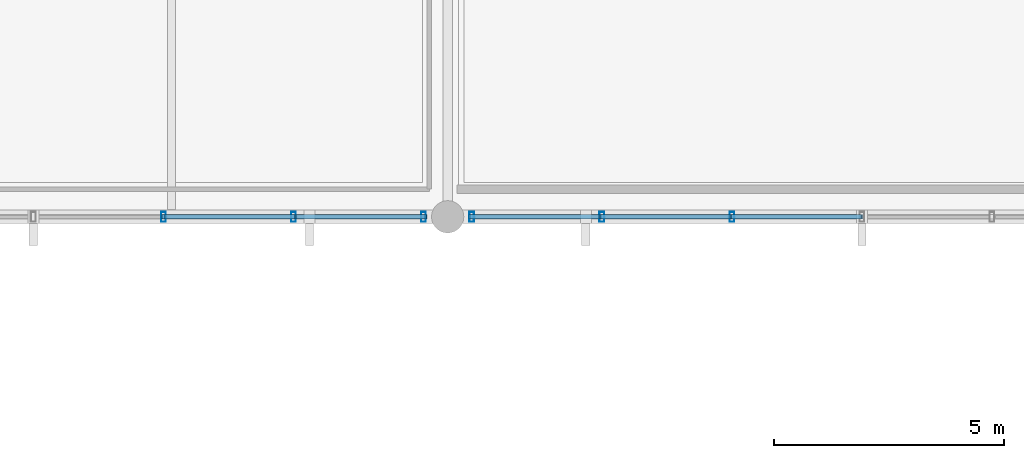
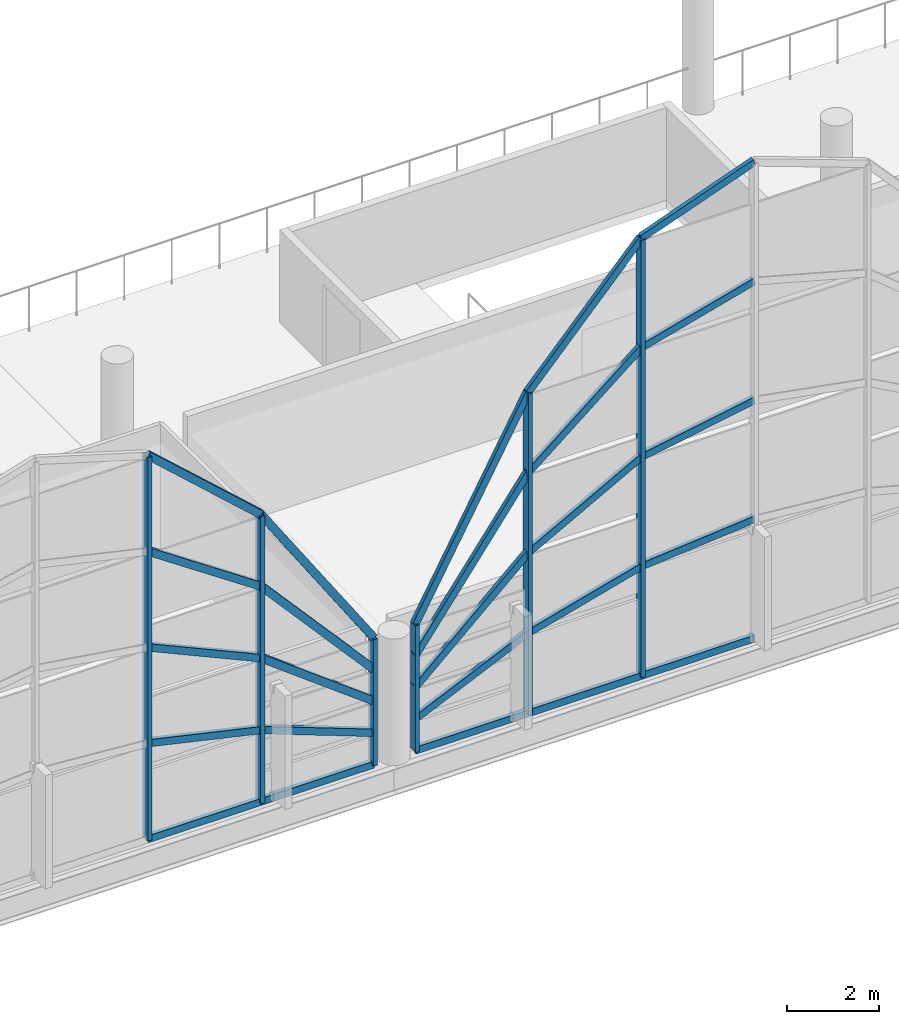
# One storey, part 24 of 116: 31 members, 2 elements without a shape of their own.
"""IFC4 building model written with IfcOpenShell, lengths in metres."""

from ifc_helpers import new_model, si_unit, direction, frame, origin, origin_2d, place, context, subcontext, project, spatial, hollow_rectangle, extrude, material, material_profile, profile_set, type_object, element, aggregate, save


model = new_model("IFC4")

# Units and contexts
model_context = context("Model", 3, precision=1e-05, world=origin(), true_north=direction((0.0, 1.0)))
body_context = subcontext(model_context, "Body", "Model", "MODEL_VIEW")
ifc_project = project(units=[si_unit("LENGTHUNIT", "METRE"), si_unit("AREAUNIT", "SQUARE_METRE"), si_unit("VOLUMEUNIT", "CUBIC_METRE"), si_unit("PLANEANGLEUNIT", "RADIAN"), si_unit("MASSUNIT", "GRAM", prefix="KILO")], contexts=[model_context])

# Site, building, storey
site_placement = place(None, origin())
site = spatial("IfcSite", under=ifc_project, at=site_placement, CompositionType="ELEMENT")
building_placement = place(site_placement, origin())
building = spatial("IfcBuilding", under=site, at=building_placement, Name="Chuanluo Vaults Station", CompositionType="ELEMENT")
storey_placement = place(building_placement, frame((0.0, 0.0, 10.800048828125)))
storey = spatial("IfcBuildingStorey", under=building, at=storey_placement, Name="L02", CompositionType="ELEMENT", Elevation=10.800048828125)

# Curtain wall, members
ifc_material_1 = material(Name="Anodised aluminium 6063-T6", Category="aluminium")
curtain_wall_type_1 = type_object("IfcCurtainWallType", Name="CW-SYS-08", PredefinedType="NOTDEFINED", material=ifc_material_1)
curtain_wall_1_placement = place(storey_placement, origin())
curtain_wall_1 = element("IfcCurtainWall", 1, at=curtain_wall_1_placement, inside=storey, type_object=curtain_wall_type_1, Name="Vault V3 south arched curtain wall", PredefinedType="NOTDEFINED")
ifc_material_2 = material(Name="Anodised aluminium 6063-T6", Category="aluminium")
ifc_material_profile_1 = material_profile(ifc_material_2, hollow_rectangle(XDim=0.10498046875, YDim=0.219970703125, WallThickness=0.006103515625, at=origin_2d()))
ifc_profile_set_1 = profile_set([ifc_material_profile_1], Name="Anodised aluminium 6063-T6")
member_type_1 = type_object("IfcMemberType", Name="CWM-140", PredefinedType="MULLION", material=ifc_profile_set_1)
member_1_placement = place(storey_placement, frame((53.47509765625, 18.0, 0.0), z_axis=(0.0, 0.0, 1.0), x_axis=(-1.0, 0.0, 0.0)))
member_1 = element("IfcMember", 2, at=member_1_placement, type_object=member_type_1, Name="Vault V3 south arched curtain wall mullion 1", PredefinedType="MULLION", context=body_context, shape_type="SweptSolid", body=[
    extrude(hollow_rectangle(XDim=0.10498046875, YDim=0.219970703125, WallThickness=0.006103515625, at=origin_2d()), origin(), (0.0, 0.0, 1.0), 3.349853515625),
])
member_2_placement = place(storey_placement, frame((50.64990234375, 18.0, 0.0), z_axis=(0.0, 0.0, 1.0), x_axis=(-1.0, 0.0, 0.0)))
member_2 = element("IfcMember", 3, at=member_2_placement, type_object=member_type_1, Name="Vault V3 south arched curtain wall mullion 2", PredefinedType="MULLION", context=body_context, shape_type="SweptSolid", body=[
    extrude(hollow_rectangle(XDim=0.10498046875, YDim=0.219970703125, WallThickness=0.006103515625, at=origin_2d()), origin(), (0.0, 0.0, 1.0), 7.599853515625),
])
member_3_placement = place(storey_placement, frame((47.824951171875, 18.0, 0.0), z_axis=(0.0, 0.0, 1.0), x_axis=(-1.0, 0.0, 0.0)))
member_3 = element("IfcMember", 4, at=member_3_placement, type_object=member_type_1, Name="Vault V3 south arched curtain wall mullion 3", PredefinedType="MULLION", context=body_context, shape_type="SweptSolid", body=[
    extrude(hollow_rectangle(XDim=0.10498046875, YDim=0.219970703125, WallThickness=0.006103515625, at=origin_2d()), origin(), (0.0, 0.0, 1.0), 10.14990234375),
])

ifc_material_3 = material(Name="Anodised aluminium 6063-T6", Category="aluminium")
curtain_wall_type_2 = type_object("IfcCurtainWallType", Name="CW-SYS-12", PredefinedType="NOTDEFINED", material=ifc_material_3)
curtain_wall_2_placement = place(storey_placement, origin())
curtain_wall_2 = element("IfcCurtainWall", 5, at=curtain_wall_2_placement, inside=storey, type_object=curtain_wall_type_2, Name="Vault V4 south arched curtain wall", PredefinedType="NOTDEFINED")
member_4_placement = place(storey_placement, frame((60.175048828125, 18.0, 0.0), z_axis=(0.0, 0.0, 1.0), x_axis=(-1.0, 0.0, 0.0)))
member_4 = element("IfcMember", 6, at=member_4_placement, type_object=member_type_1, Name="Vault V4 south arched curtain wall mullion 5", PredefinedType="MULLION", context=body_context, shape_type="SweptSolid", body=[
    extrude(hollow_rectangle(XDim=0.10498046875, YDim=0.219970703125, WallThickness=0.006103515625, at=origin_2d()), origin(), (0.0, 0.0, 1.0), 11.572265625),
])
member_5_placement = place(storey_placement, frame((57.35009765625, 18.0, 0.0), z_axis=(0.0, 0.0, 1.0), x_axis=(-1.0, 0.0, 0.0)))
member_5 = element("IfcMember", 7, at=member_5_placement, type_object=member_type_1, Name="Vault V4 south arched curtain wall mullion 6", PredefinedType="MULLION", context=body_context, shape_type="SweptSolid", body=[
    extrude(hollow_rectangle(XDim=0.10498046875, YDim=0.219970703125, WallThickness=0.006103515625, at=origin_2d()), origin(), (0.0, 0.0, 1.0), 8.48876953125),
])
member_6_placement = place(storey_placement, frame((54.52490234375, 18.0, 0.0), z_axis=(0.0, 0.0, 1.0), x_axis=(-1.0, 0.0, 0.0)))
member_6 = element("IfcMember", 8, at=member_6_placement, type_object=member_type_1, Name="Vault V4 south arched curtain wall mullion 7", PredefinedType="MULLION", context=body_context, shape_type="SweptSolid", body=[
    extrude(hollow_rectangle(XDim=0.10498046875, YDim=0.219970703125, WallThickness=0.006103515625, at=origin_2d()), origin(), (0.0, 0.0, 1.0), 3.349853515625),
])

# Member
ifc_material_4 = material(Name="Anodised aluminium 6063-T6", Category="aluminium")
ifc_material_profile_2 = material_profile(ifc_material_4, hollow_rectangle(XDim=0.10498046875, YDim=0.18505859375, WallThickness=0.0048828125, at=origin_2d()))
ifc_profile_set_2 = profile_set([ifc_material_profile_2], Name="Anodised aluminium 6063-T6")
member_type_2 = type_object("IfcMemberType", Name="CWT-110", PredefinedType="USERDEFINED", material=ifc_profile_set_2)
member_7_placement = place(storey_placement, frame((53.47509765625, 18.0, 0.0), z_axis=(-1.0, 0.0, 0.0), x_axis=(0.0, -1.0, 0.0)))
member_7 = element("IfcMember", 9, at=member_7_placement, type_object=member_type_2, Name="Vault V3 south arched curtain wall transom 1.1", ObjectType="TRANSOM", PredefinedType="USERDEFINED", context=body_context, shape_type="SweptSolid", body=[
    extrude(hollow_rectangle(XDim=0.10498046875, YDim=0.18505859375, WallThickness=0.0048828125, at=origin_2d()), origin(), (0.0, 0.0, 1.0), 2.8251953125),
])

member_8_placement = place(storey_placement, frame((53.47509765625, 18.0, 0.83740234375), z_axis=(-0.935996355614, 0.0, 0.352009690601), x_axis=(0.0, -1.0, 0.0)))
member_8 = element("IfcMember", 10, at=member_8_placement, type_object=member_type_2, Name="Vault V3 south arched curtain wall transom 1.2", ObjectType="TRANSOM", PredefinedType="USERDEFINED", context=body_context, shape_type="SweptSolid", body=[
    extrude(hollow_rectangle(XDim=0.10498046875, YDim=0.18505859375, WallThickness=0.0048828125, at=origin_2d()), origin(), (0.0, 0.0, 1.0), 3.018310546875),
])

member_9_placement = place(storey_placement, frame((53.47509765625, 18.0, 1.675048828125), z_axis=(-0.799170508407, 0.0, 0.601104398996), x_axis=(0.0, -1.0, 0.0)))
member_9 = element("IfcMember", 11, at=member_9_placement, type_object=member_type_2, Name="Vault V3 south arched curtain wall transom 1.3", ObjectType="TRANSOM", PredefinedType="USERDEFINED", context=body_context, shape_type="SweptSolid", body=[
    extrude(hollow_rectangle(XDim=0.10498046875, YDim=0.18505859375, WallThickness=0.0048828125, at=origin_2d()), origin(), (0.0, 0.0, 1.0), 3.53515625),
])

member_10_placement = place(storey_placement, frame((53.47509765625, 18.0, 2.512451171875), z_axis=(-0.663295841514, 0.0, 0.748357285413), x_axis=(0.0, -1.0, 0.0)))
member_10 = element("IfcMember", 12, at=member_10_placement, type_object=member_type_2, Name="Vault V3 south arched curtain wall transom 1.4", ObjectType="TRANSOM", PredefinedType="USERDEFINED", context=body_context, shape_type="SweptSolid", body=[
    extrude(hollow_rectangle(XDim=0.10498046875, YDim=0.18505859375, WallThickness=0.0048828125, at=origin_2d()), origin(), (0.0, 0.0, 1.0), 4.25927734375),
])

member_11_placement = place(storey_placement, frame((53.47509765625, 18.0, 3.349853515625), z_axis=(-0.553595725421, 0.0, 0.832785550304), x_axis=(0.0, -1.0, 0.0)))
member_11 = element("IfcMember", 13, at=member_11_placement, type_object=member_type_2, Name="Vault V3 south arched curtain wall transom 1.5", ObjectType="TRANSOM", PredefinedType="USERDEFINED", context=body_context, shape_type="SweptSolid", body=[
    extrude(hollow_rectangle(XDim=0.10498046875, YDim=0.18505859375, WallThickness=0.0048828125, at=origin_2d()), origin(), (0.0, 0.0, 1.0), 5.103271484375),
])

member_12_placement = place(storey_placement, frame((50.64990234375, 18.0, 0.0), z_axis=(-1.0, 0.0, 0.0), x_axis=(0.0, -1.0, 0.0)))
member_12 = element("IfcMember", 14, at=member_12_placement, type_object=member_type_2, Name="Vault V3 south arched curtain wall transom 2.1", ObjectType="TRANSOM", PredefinedType="USERDEFINED", context=body_context, shape_type="SweptSolid", body=[
    extrude(hollow_rectangle(XDim=0.10498046875, YDim=0.18505859375, WallThickness=0.0048828125, at=origin_2d()), origin(), (0.0, 0.0, 1.0), 2.824951171875),
])

member_13_placement = place(storey_placement, frame((50.64990234375, 18.0, 1.89990234375), z_axis=(-0.975473711009, 0.0, 0.220115967457), x_axis=(0.0, -1.0, 0.0)))
member_13 = element("IfcMember", 15, at=member_13_placement, type_object=member_type_2, Name="Vault V3 south arched curtain wall transom 2.2", ObjectType="TRANSOM", PredefinedType="USERDEFINED", context=body_context, shape_type="SweptSolid", body=[
    extrude(hollow_rectangle(XDim=0.10498046875, YDim=0.18505859375, WallThickness=0.0048828125, at=origin_2d()), origin(), (0.0, 0.0, 1.0), 2.89599609375),
])

member_14_placement = place(storey_placement, frame((50.64990234375, 18.0, 3.800048828125), z_axis=(-0.911477323867, 0.0, 0.41135032281), x_axis=(0.0, -1.0, 0.0)))
member_14 = element("IfcMember", 16, at=member_14_placement, type_object=member_type_2, Name="Vault V3 south arched curtain wall transom 2.3", ObjectType="TRANSOM", PredefinedType="USERDEFINED", context=body_context, shape_type="SweptSolid", body=[
    extrude(hollow_rectangle(XDim=0.10498046875, YDim=0.18505859375, WallThickness=0.0048828125, at=origin_2d()), origin(), (0.0, 0.0, 1.0), 3.099365234375),
])

member_15_placement = place(storey_placement, frame((50.64990234375, 18.0, 5.699951171875), z_axis=(-0.828065516064, 0.0, 0.56063134153), x_axis=(0.0, -1.0, 0.0)))
member_15 = element("IfcMember", 17, at=member_15_placement, type_object=member_type_2, Name="Vault V3 south arched curtain wall transom 2.4", ObjectType="TRANSOM", PredefinedType="USERDEFINED", context=body_context, shape_type="SweptSolid", body=[
    extrude(hollow_rectangle(XDim=0.10498046875, YDim=0.18505859375, WallThickness=0.0048828125, at=origin_2d()), origin(), (0.0, 0.0, 1.0), 3.41162109375),
])

member_16_placement = place(storey_placement, frame((50.64990234375, 18.0, 7.599853515625), z_axis=(-0.742301278751, 0.0, 0.670066274009), x_axis=(0.0, -1.0, 0.0)))
member_16 = element("IfcMember", 18, at=member_16_placement, type_object=member_type_2, Name="Vault V3 south arched curtain wall transom 2.5", ObjectType="TRANSOM", PredefinedType="USERDEFINED", context=body_context, shape_type="SweptSolid", body=[
    extrude(hollow_rectangle(XDim=0.10498046875, YDim=0.18505859375, WallThickness=0.0048828125, at=origin_2d()), origin(), (0.0, 0.0, 1.0), 3.8056640625),
])

aggregate(curtain_wall_1, [member_1, member_2, member_3, member_7, member_8, member_9, member_10, member_11, member_12, member_13, member_14, member_15, member_16])

member_17_placement = place(storey_placement, frame((63.0, 18.0, 0.0), z_axis=(-1.0, 0.0, 0.0), x_axis=(0.0, -1.0, 0.0)))
member_17 = element("IfcMember", 19, at=member_17_placement, type_object=member_type_2, Name="Vault V4 south arched curtain wall transom 4.1", ObjectType="TRANSOM", PredefinedType="USERDEFINED", context=body_context, shape_type="SweptSolid", body=[
    extrude(hollow_rectangle(XDim=0.10498046875, YDim=0.18505859375, WallThickness=0.0048828125, at=origin_2d()), origin(), (0.0, 0.0, 1.0), 2.824951171875),
])

member_18_placement = place(storey_placement, frame((63.0, 18.0, 3.14990234375), z_axis=(-0.995892500962, 0.0, -0.090543506267), x_axis=(0.0, -1.0, 0.0)))
member_18 = element("IfcMember", 20, at=member_18_placement, type_object=member_type_2, Name="Vault V4 south arched curtain wall transom 4.2", ObjectType="TRANSOM", PredefinedType="USERDEFINED", context=body_context, shape_type="SweptSolid", body=[
    extrude(hollow_rectangle(XDim=0.10498046875, YDim=0.18505859375, WallThickness=0.0048828125, at=origin_2d()), origin(), (0.0, 0.0, 1.0), 2.836669921875),
])

member_19_placement = place(storey_placement, frame((63.0, 18.0, 6.300048828125), z_axis=(-0.983852219589, 0.0, -0.178982708689), x_axis=(0.0, -1.0, 0.0)))
member_19 = element("IfcMember", 21, at=member_19_placement, type_object=member_type_2, Name="Vault V4 south arched curtain wall transom 4.3", ObjectType="TRANSOM", PredefinedType="USERDEFINED", context=body_context, shape_type="SweptSolid", body=[
    extrude(hollow_rectangle(XDim=0.10498046875, YDim=0.18505859375, WallThickness=0.0048828125, at=origin_2d()), origin(), (0.0, 0.0, 1.0), 2.871337890625),
])

member_20_placement = place(storey_placement, frame((63.0, 18.0, 9.449951171875), z_axis=(-0.964736879511, 0.0, -0.263216172208), x_axis=(0.0, -1.0, 0.0)))
member_20 = element("IfcMember", 22, at=member_20_placement, type_object=member_type_2, Name="Vault V4 south arched curtain wall transom 4.4", ObjectType="TRANSOM", PredefinedType="USERDEFINED", context=body_context, shape_type="SweptSolid", body=[
    extrude(hollow_rectangle(XDim=0.10498046875, YDim=0.18505859375, WallThickness=0.0048828125, at=origin_2d()), origin(), (0.0, 0.0, 1.0), 2.92822265625),
])

member_21_placement = place(storey_placement, frame((63.0, 18.0, 12.599853515625), z_axis=(-0.939757849063, 0.0, -0.341840876908), x_axis=(0.0, -1.0, 0.0)))
member_21 = element("IfcMember", 23, at=member_21_placement, type_object=member_type_2, Name="Vault V4 south arched curtain wall transom 4.5", ObjectType="TRANSOM", PredefinedType="USERDEFINED", context=body_context, shape_type="SweptSolid", body=[
    extrude(hollow_rectangle(XDim=0.10498046875, YDim=0.18505859375, WallThickness=0.0048828125, at=origin_2d()), origin(), (0.0, 0.0, 1.0), 3.006103515625),
])

member_22_placement = place(storey_placement, frame((60.175048828125, 18.0, 0.0), z_axis=(-1.0, 0.0, 0.0), x_axis=(0.0, -1.0, 0.0)))
member_22 = element("IfcMember", 24, at=member_22_placement, type_object=member_type_2, Name="Vault V4 south arched curtain wall transom 5.1", ObjectType="TRANSOM", PredefinedType="USERDEFINED", context=body_context, shape_type="SweptSolid", body=[
    extrude(hollow_rectangle(XDim=0.10498046875, YDim=0.18505859375, WallThickness=0.0048828125, at=origin_2d()), origin(), (0.0, 0.0, 1.0), 2.824951171875),
])

member_23_placement = place(storey_placement, frame((60.175048828125, 18.0, 2.89306640625), z_axis=(-0.964715704974, 0.0, -0.263293768586), x_axis=(0.0, -1.0, 0.0)))
member_23 = element("IfcMember", 25, at=member_23_placement, type_object=member_type_2, Name="Vault V4 south arched curtain wall transom 5.2", ObjectType="TRANSOM", PredefinedType="USERDEFINED", context=body_context, shape_type="SweptSolid", body=[
    extrude(hollow_rectangle(XDim=0.10498046875, YDim=0.18505859375, WallThickness=0.0048828125, at=origin_2d()), origin(), (0.0, 0.0, 1.0), 2.92822265625),
])

member_24_placement = place(storey_placement, frame((60.175048828125, 18.0, 5.7861328125), z_axis=(-0.877782482392, 0.0, -0.479059405091), x_axis=(0.0, -1.0, 0.0)))
member_24 = element("IfcMember", 26, at=member_24_placement, type_object=member_type_2, Name="Vault V4 south arched curtain wall transom 5.3", ObjectType="TRANSOM", PredefinedType="USERDEFINED", context=body_context, shape_type="SweptSolid", body=[
    extrude(hollow_rectangle(XDim=0.10498046875, YDim=0.18505859375, WallThickness=0.0048828125, at=origin_2d()), origin(), (0.0, 0.0, 1.0), 3.21826171875),
])

member_25_placement = place(storey_placement, frame((60.175048828125, 18.0, 8.67919921875), z_axis=(-0.773799359738, 0.0, -0.633430778277), x_axis=(0.0, -1.0, 0.0)))
member_25 = element("IfcMember", 27, at=member_25_placement, type_object=member_type_2, Name="Vault V4 south arched curtain wall transom 5.4", ObjectType="TRANSOM", PredefinedType="USERDEFINED", context=body_context, shape_type="SweptSolid", body=[
    extrude(hollow_rectangle(XDim=0.10498046875, YDim=0.18505859375, WallThickness=0.0048828125, at=origin_2d()), origin(), (0.0, 0.0, 1.0), 3.650634765625),
])

member_26_placement = place(storey_placement, frame((60.175048828125, 18.0, 11.572265625), z_axis=(-0.675518398471, 0.0, -0.737343131336), x_axis=(0.0, -1.0, 0.0)))
member_26 = element("IfcMember", 28, at=member_26_placement, type_object=member_type_2, Name="Vault V4 south arched curtain wall transom 5.5", ObjectType="TRANSOM", PredefinedType="USERDEFINED", context=body_context, shape_type="SweptSolid", body=[
    extrude(hollow_rectangle(XDim=0.10498046875, YDim=0.18505859375, WallThickness=0.0048828125, at=origin_2d()), origin(), (0.0, 0.0, 1.0), 4.181884765625),
])

member_27_placement = place(storey_placement, frame((57.35009765625, 18.0, 0.0), z_axis=(-1.0, 0.0, 0.0), x_axis=(0.0, -1.0, 0.0)))
member_27 = element("IfcMember", 29, at=member_27_placement, type_object=member_type_2, Name="Vault V4 south arched curtain wall transom 6.1", ObjectType="TRANSOM", PredefinedType="USERDEFINED", context=body_context, shape_type="SweptSolid", body=[
    extrude(hollow_rectangle(XDim=0.10498046875, YDim=0.18505859375, WallThickness=0.0048828125, at=origin_2d()), origin(), (0.0, 0.0, 1.0), 2.8251953125),
])

member_28_placement = place(storey_placement, frame((57.35009765625, 18.0, 2.1220703125), z_axis=(-0.910307200246, 0.0, -0.41393332939), x_axis=(0.0, -1.0, 0.0)))
member_28 = element("IfcMember", 30, at=member_28_placement, type_object=member_type_2, Name="Vault V4 south arched curtain wall transom 6.2", ObjectType="TRANSOM", PredefinedType="USERDEFINED", context=body_context, shape_type="SweptSolid", body=[
    extrude(hollow_rectangle(XDim=0.10498046875, YDim=0.18505859375, WallThickness=0.0048828125, at=origin_2d()), origin(), (0.0, 0.0, 1.0), 3.103515625),
])

member_29_placement = place(storey_placement, frame((57.35009765625, 18.0, 4.244384765625), z_axis=(-0.739812776152, 0.0, -0.672812794351), x_axis=(0.0, -1.0, 0.0)))
member_29 = element("IfcMember", 31, at=member_29_placement, type_object=member_type_2, Name="Vault V4 south arched curtain wall transom 6.3", ObjectType="TRANSOM", PredefinedType="USERDEFINED", context=body_context, shape_type="SweptSolid", body=[
    extrude(hollow_rectangle(XDim=0.10498046875, YDim=0.18505859375, WallThickness=0.0048828125, at=origin_2d()), origin(), (0.0, 0.0, 1.0), 3.81884765625),
])

member_30_placement = place(storey_placement, frame((57.35009765625, 18.0, 6.36669921875), z_axis=(-0.591193110181, 0.0, -0.806530040652), x_axis=(0.0, -1.0, 0.0)))
member_30 = element("IfcMember", 32, at=member_30_placement, type_object=member_type_2, Name="Vault V4 south arched curtain wall transom 6.4", ObjectType="TRANSOM", PredefinedType="USERDEFINED", context=body_context, shape_type="SweptSolid", body=[
    extrude(hollow_rectangle(XDim=0.10498046875, YDim=0.18505859375, WallThickness=0.0048828125, at=origin_2d()), origin(), (0.0, 0.0, 1.0), 4.77880859375),
])

member_31_placement = place(storey_placement, frame((57.35009765625, 18.0, 8.48876953125), z_axis=(-0.481760525969, 0.0, -0.876302913163), x_axis=(0.0, -1.0, 0.0)))
member_31 = element("IfcMember", 33, at=member_31_placement, type_object=member_type_2, Name="Vault V4 south arched curtain wall transom 6.5", ObjectType="TRANSOM", PredefinedType="USERDEFINED", context=body_context, shape_type="SweptSolid", body=[
    extrude(hollow_rectangle(XDim=0.10498046875, YDim=0.18505859375, WallThickness=0.0048828125, at=origin_2d()), origin(), (0.0, 0.0, 1.0), 5.8642578125),
])

aggregate(curtain_wall_2, [member_4, member_5, member_6, member_17, member_18, member_19, member_20, member_21, member_22, member_23, member_24, member_25, member_26, member_27, member_28, member_29, member_30, member_31])

save(model, "model.ifc")
